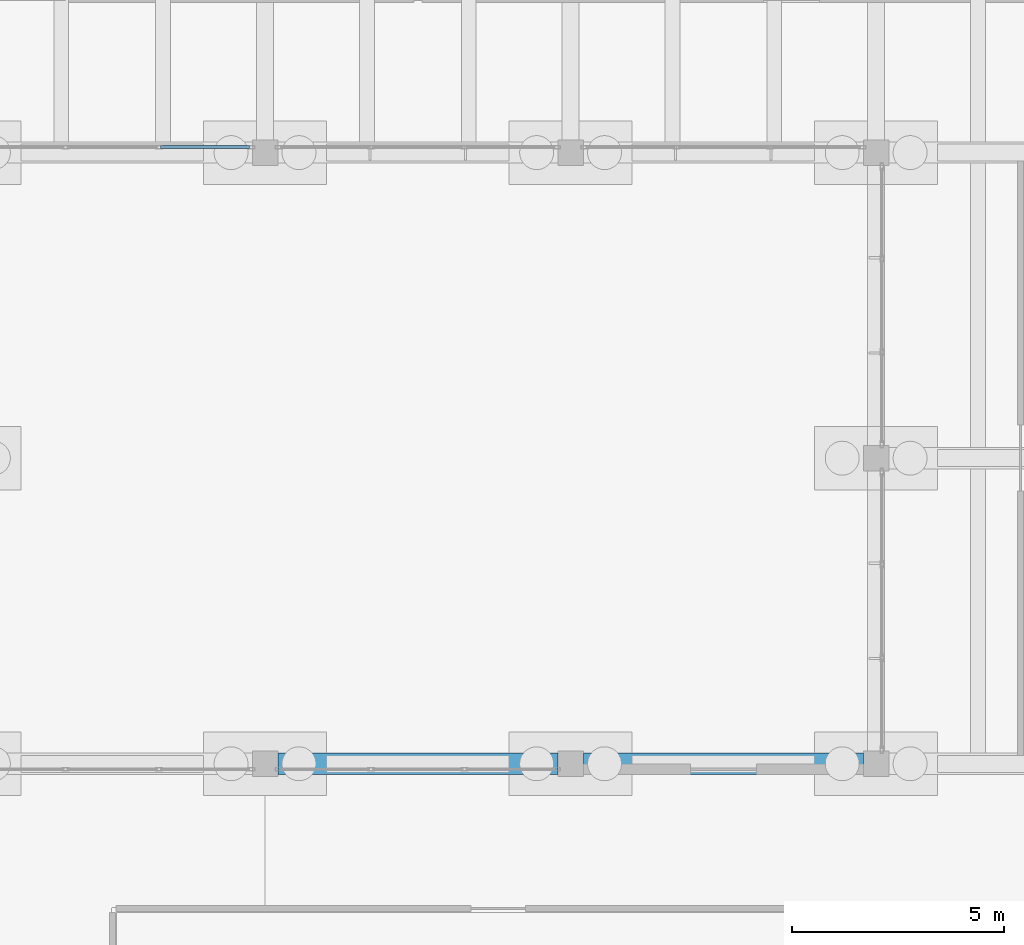
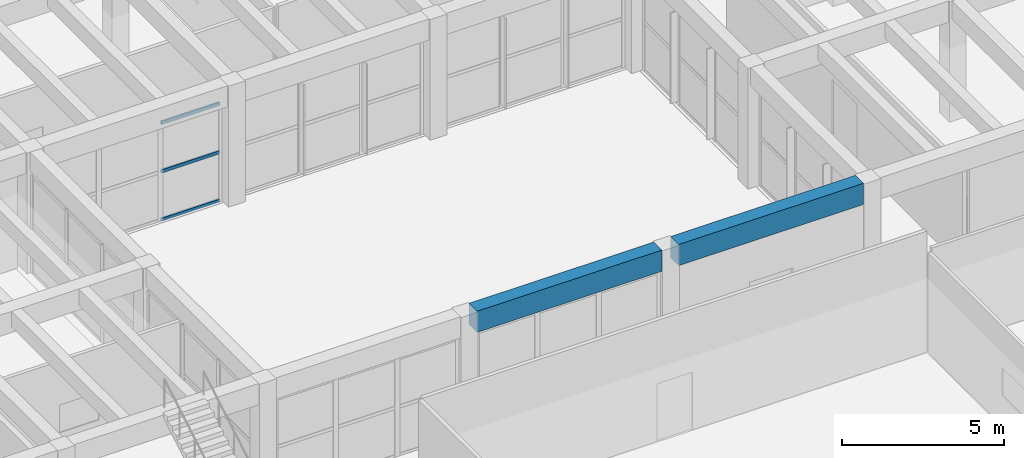
# One storey, part 44 of 155: 3 members, 2 beams, 1 element without a shape of its own.
"""IFC4 building model written with IfcOpenShell, lengths in metres."""

from ifc_helpers import new_model, si_unit, direction, frame, origin, origin_2d, place, context, subcontext, project, spatial, rectangle, hollow_rectangle, extrude, material, material_profile, profile_set, type_object, element, aggregate, save


model = new_model("IFC4")

# Units and contexts
model_context = context("Model", 3, precision=1e-05, world=origin(), true_north=direction((0.0, 1.0)))
body_context = subcontext(model_context, "Body", "Model", "MODEL_VIEW")
ifc_project = project(units=[si_unit("LENGTHUNIT", "METRE"), si_unit("AREAUNIT", "SQUARE_METRE"), si_unit("VOLUMEUNIT", "CUBIC_METRE"), si_unit("PLANEANGLEUNIT", "RADIAN"), si_unit("MASSUNIT", "GRAM", prefix="KILO")], contexts=[model_context])

# Site, building, storey
site_placement = place(None, origin())
site = spatial("IfcSite", under=ifc_project, at=site_placement, CompositionType="ELEMENT")
building_placement = place(site_placement, origin())
building = spatial("IfcBuilding", under=site, at=building_placement, Name="Bramvelor Terrace Health Centre", CompositionType="ELEMENT")
storey_placement = place(building_placement, origin())
storey = spatial("IfcBuildingStorey", under=building, at=storey_placement, Name="L01", CompositionType="ELEMENT", Elevation=0.0)

# Beams
ifc_material_1 = material(Name="Concrete C40/50", Category="concrete")
ifc_material_profile_1 = material_profile(ifc_material_1, rectangle(XDim=0.5, YDim=0.800048828125, at=origin_2d()), Name="RC 500x800")
ifc_profile_set_1 = profile_set([ifc_material_profile_1], Name="Concrete C40/50")
beam_type = type_object("IfcBeamType", Name="BM-RC-G800", PredefinedType="BEAM", material=ifc_profile_set_1)
for number, where, z_axis, x_axis, name in (
    (1, (65.10009765625, 50.39990234375, 4.159912109375), (1.0, 0.0, 0.0), (0.0, 1.0, 0.0), "L01 Floor Girder"),
    (2, (72.300048828125, 50.39990234375, 4.159912109375), (1.0, 0.0, 0.0), (0.0, 1.0, 0.0), "L01 Floor Girder"),
):
    element("IfcBeam", number, at=place(storey_placement, frame(where, z_axis=z_axis, x_axis=x_axis)), inside=storey, type_object=beam_type, Name=name, PredefinedType="BEAM", context=body_context, shape_type="SweptSolid", body=[
        extrude(rectangle(XDim=0.5, YDim=0.800048828125, at=origin_2d()), origin(), (0.0, 0.0, 1.0), 6.599853515625),
    ])

# Curtain wall, members
ifc_material_2 = material(Name="Anodized aluminium and double low-E glass", Category="aluminium")
curtain_wall_type = type_object("IfcCurtainWallType", Name="CW-SYS-02", PredefinedType="NOTDEFINED", material=ifc_material_2)
curtain_wall_placement = place(storey_placement, origin())
curtain_wall = element("IfcCurtainWall", 3, at=curtain_wall_placement, inside=storey, type_object=curtain_wall_type, Name="L01 Unitized Curtain Wall 66", PredefinedType="NOTDEFINED")
ifc_material_3 = material(Name="Anodized aluminium 6063-T6", Category="aluminium")
ifc_material_profile_2 = material_profile(ifc_material_3, hollow_rectangle(XDim=0.06494140625, YDim=0.1201171875, WallThickness=0.0029296875, at=origin_2d()), Name="ALU-TRN 65x120x3.0")
ifc_profile_set_2 = profile_set([ifc_material_profile_2], Name="Anodized aluminium 6063-T6")
member_type = type_object("IfcMemberType", Name="CW-TRN-65x150", PredefinedType="USERDEFINED", material=ifc_profile_set_2)
member_1_placement = place(storey_placement, frame((64.429931640625, 64.929931640625, 0.032470703125), z_axis=(-1.0, 0.0, 0.0), x_axis=(0.0, -1.0, 0.0)))
member_1 = element("IfcMember", 4, at=member_1_placement, type_object=member_type, Name="CW-02 transom 1.1", ObjectType="TRANSOM", PredefinedType="USERDEFINED", context=body_context, shape_type="SweptSolid", body=[
    extrude(hollow_rectangle(XDim=0.06494140625, YDim=0.1201171875, WallThickness=0.0029296875, at=origin_2d()), origin(), (0.0, 0.0, 1.0), 2.0908203125),
])
member_2_placement = place(storey_placement, frame((64.429931640625, 64.929931640625, 1.860107421875), z_axis=(-1.0, 0.0, 0.0), x_axis=(0.0, -1.0, 0.0)))
member_2 = element("IfcMember", 5, at=member_2_placement, type_object=member_type, Name="CW-02 transom 1.2", ObjectType="TRANSOM", PredefinedType="USERDEFINED", context=body_context, shape_type="SweptSolid", body=[
    extrude(hollow_rectangle(XDim=0.06494140625, YDim=0.1201171875, WallThickness=0.0029296875, at=origin_2d()), origin(), (0.0, 0.0, 1.0), 2.0908203125),
])
member_3_placement = place(storey_placement, frame((64.429931640625, 64.929931640625, 3.6875), z_axis=(-1.0, 0.0, 0.0), x_axis=(0.0, -1.0, 0.0)))
member_3 = element("IfcMember", 6, at=member_3_placement, type_object=member_type, Name="CW-02 transom 1.3", ObjectType="TRANSOM", PredefinedType="USERDEFINED", context=body_context, shape_type="SweptSolid", body=[
    extrude(hollow_rectangle(XDim=0.06494140625, YDim=0.1201171875, WallThickness=0.0029296875, at=origin_2d()), origin(), (0.0, 0.0, 1.0), 2.0908203125),
])
aggregate(curtain_wall, [member_1, member_2, member_3])

save(model, "model.ifc")
